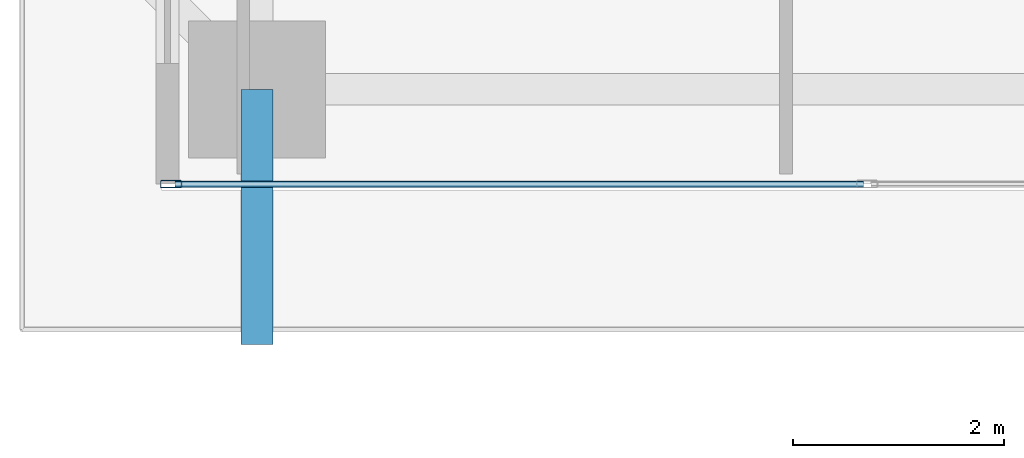
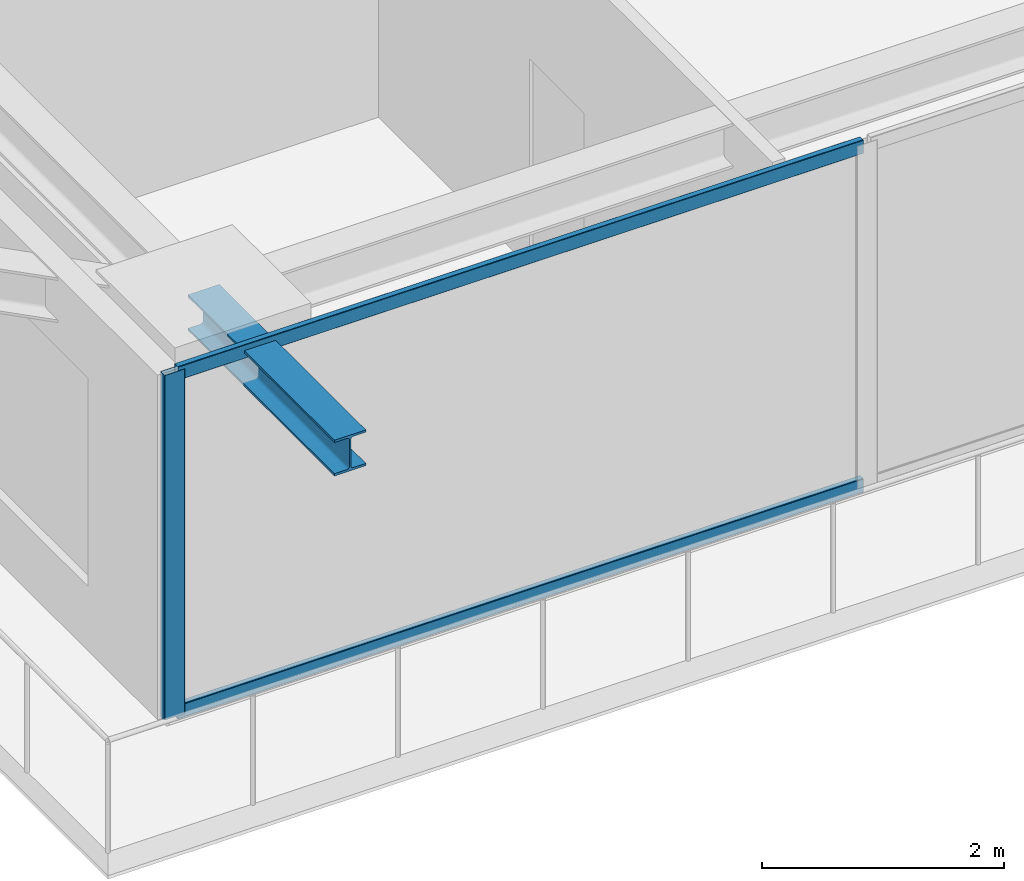
# One storey, part 2 of 37: 3 members, 1 beam, 1 element without a shape of its own.
"""IFC4 building model written with IfcOpenShell, lengths in metres."""

from ifc_helpers import new_model, si_unit, direction, frame, origin, origin_2d, place, context, subcontext, project, spatial, hollow_rectangle, i_section, extrude, source, transform, mapped, material, layer, layer_set, material_profile, profile_set, type_object, element, aggregate, save


model = new_model("IFC4")

# Units and contexts
model_context = context("Model", 3, precision=1e-05, world=origin(), true_north=direction((0.0, 1.0)))
body_context = subcontext(model_context, "Body", "Model", "MODEL_VIEW")
ifc_project = project(units=[si_unit("LENGTHUNIT", "METRE"), si_unit("AREAUNIT", "SQUARE_METRE"), si_unit("VOLUMEUNIT", "CUBIC_METRE"), si_unit("PLANEANGLEUNIT", "RADIAN"), si_unit("MASSUNIT", "GRAM", prefix="KILO")], contexts=[model_context])

# Site, building, storey
site_placement = place(None, origin())
site = spatial("IfcSite", under=ifc_project, at=site_placement, CompositionType="ELEMENT")
building_placement = place(site_placement, origin())
building = spatial("IfcBuilding", under=site, at=building_placement, Name="Serunith Strait Residences", CompositionType="ELEMENT")
storey_placement = place(building_placement, frame((0.0, 0.0, 153.89990234375)))
storey = spatial("IfcBuildingStorey", under=building, at=storey_placement, Name="L38", CompositionType="ELEMENT", Elevation=153.89990234375)

# Beam
ifc_material_1 = material(Name="Steel S355J2", Category="steel")
ifc_material_profile_1 = material_profile(ifc_material_1, i_section(OverallWidth=0.300048828125, OverallDepth=0.360107421875, WebThickness=0.012451171875, FlangeThickness=0.0224609375, FilletRadius=0.027099609375, at=origin_2d()), Name="HEB 360")
ifc_profile_set_1 = profile_set([ifc_material_profile_1], Name="Steel S355J2")
beam_type = type_object("IfcBeamType", Name="BM-HEB360", PredefinedType="BEAM", material=ifc_profile_set_1)
shared_shape_1 = source(origin(), body_context, "Body", "SweptSolid", [
    extrude(i_section(OverallWidth=0.300048828125, OverallDepth=0.360107421875, WebThickness=0.012451171875, FlangeThickness=0.0224609375, FilletRadius=0.027099609375, at=origin_2d()), origin(), (0.0, 0.0, 1.0), 2.420166015625),
])
beam_placement = place(storey_placement, frame((16.64990234375, 2.300048828125, 3.277099609375), z_axis=(0.0, -1.0, 0.0), x_axis=(1.0, 0.0, 0.0)))
element("IfcBeam", 1, at=beam_placement, inside=storey, type_object=beam_type, Name="L39 Cantilevered Balcony Rib TC-S1", PredefinedType="BEAM", context=body_context, shape_type="MappedRepresentation", body=[
    mapped(shared_shape_1, transform((0.0, 0.0, 0.0), scale=1.0)),
])

# Curtain wall, members
ifc_material_2 = material(Name="Pale-Champagne Anodised Aluminium", Category="aluminium")
ifc_layer = layer(ifc_material_2, 0.199951171875, Name="Pale-Champagne Anodised Aluminium")
ifc_layer_set = layer_set([ifc_layer], Name="Pale-Champagne Anodised Aluminium")
curtain_wall_type = type_object("IfcCurtainWallType", Name="CW-SYS2", PredefinedType="NOTDEFINED", material=ifc_layer_set)
curtain_wall_placement = place(storey_placement, origin())
curtain_wall = element("IfcCurtainWall", 2, at=curtain_wall_placement, inside=storey, type_object=curtain_wall_type, Name="L38 S Unitised Fritted Curtain Wall", PredefinedType="NOTDEFINED")
ifc_material_profile_2 = material_profile(ifc_material_2, hollow_rectangle(XDim=0.070068359375, YDim=0.199951171875, WallThickness=0.00390625, InnerFilletRadius=0.006103515625, OuterFilletRadius=0.010009765625, at=origin_2d()), Name="ALU 200x70x4")
ifc_profile_set_2 = profile_set([ifc_material_profile_2], Name="Pale-Champagne Anodised Aluminium")
member_type_1 = type_object("IfcMemberType", Name="CW-SYS2-MULL", PredefinedType="MULLION", material=ifc_profile_set_2)
shared_shape_2 = source(origin(), body_context, "Body", "SweptSolid", [
    extrude(hollow_rectangle(XDim=0.070068359375, YDim=0.199951171875, WallThickness=0.00390625, InnerFilletRadius=0.006103515625, OuterFilletRadius=0.010009765625, at=origin_2d()), origin(), (0.0, 0.0, 1.0), 3.47509765625),
])
member_1_placement = place(storey_placement, frame((15.8349609375, 1.39990234375, 0.0), z_axis=(0.0, 0.0, 1.0), x_axis=(0.0, 1.0, 0.0)))
member_1 = element("IfcMember", 3, at=member_1_placement, type_object=member_type_1, Name="CW-2 mullion 1", PredefinedType="MULLION", context=body_context, shape_type="MappedRepresentation", body=[
    mapped(shared_shape_2, transform((0.0, 0.0, 0.0), scale=1.0)),
])
ifc_material_profile_3 = material_profile(ifc_material_2, hollow_rectangle(XDim=0.06005859375, YDim=0.139892578125, WallThickness=0.00341796875, InnerFilletRadius=0.00537109375, OuterFilletRadius=0.0087890625, at=origin_2d()), Name="ALU 140x60x3.5")
ifc_profile_set_3 = profile_set([ifc_material_profile_3], Name="Pale-Champagne Anodised Aluminium")
member_type_2 = type_object("IfcMemberType", Name="CW-SYS2-TRAN", PredefinedType="USERDEFINED", material=ifc_profile_set_3)
shared_shape_3 = source(origin(), body_context, "Body", "SweptSolid", [
    extrude(hollow_rectangle(XDim=0.06005859375, YDim=0.139892578125, WallThickness=0.00341796875, InnerFilletRadius=0.00537109375, OuterFilletRadius=0.0087890625, at=origin_2d()), origin(), (0.0, 0.0, 1.0), 6.534912109375),
])
member_2_placement = place(storey_placement, frame((15.8701171875, 1.39990234375, 0.030029296875), z_axis=(1.0, 0.0, 0.0), x_axis=(0.0, 1.0, 0.0)))
member_2 = element("IfcMember", 4, at=member_2_placement, type_object=member_type_2, Name="CW-2 transom 1.1", ObjectType="TRANSOM", PredefinedType="USERDEFINED", context=body_context, shape_type="MappedRepresentation", body=[
    mapped(shared_shape_3, transform((0.0, 0.0, 0.0), scale=1.0)),
])
member_3_placement = place(storey_placement, frame((15.8701171875, 1.39990234375, 3.445068359375), z_axis=(1.0, 0.0, 0.0), x_axis=(0.0, 1.0, 0.0)))
member_3 = element("IfcMember", 5, at=member_3_placement, type_object=member_type_2, Name="CW-2 transom 1.2", ObjectType="TRANSOM", PredefinedType="USERDEFINED", context=body_context, shape_type="MappedRepresentation", body=[
    mapped(shared_shape_3, transform((0.0, 0.0, 0.0), scale=1.0)),
])
aggregate(curtain_wall, [member_1, member_2, member_3])

save(model, "model.ifc")
